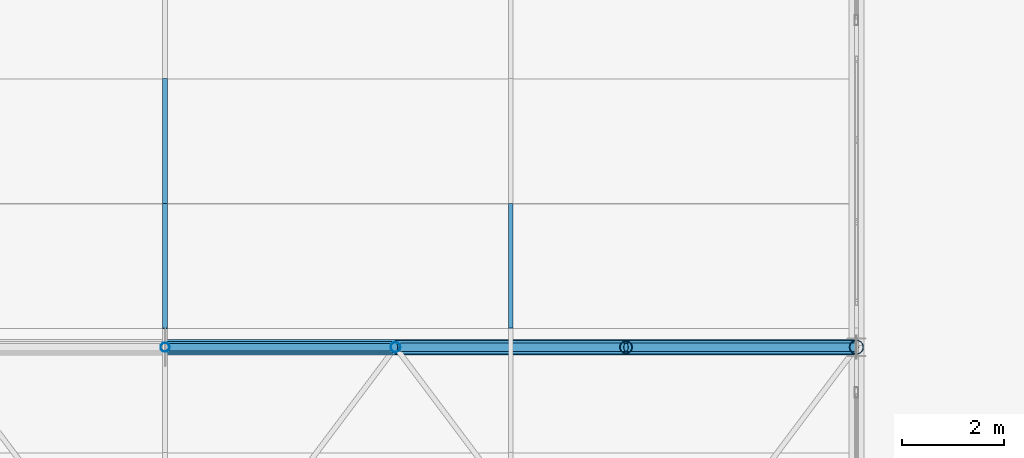
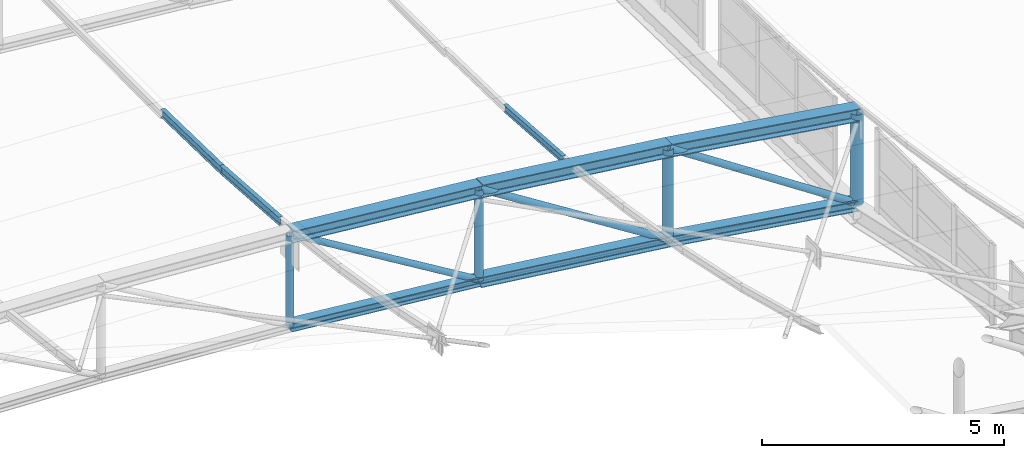
# One storey, part 94 of 262: 16 members.
"""IFC4 building model written with IfcOpenShell, lengths in metres."""

from ifc_helpers import new_model, si_unit, derived_unit, direction, frame, origin, origin_2d, place, context, subcontext, project, spatial, hollow_circle, i_section, extrude, material, material_profile, profile_set, type_object, element, save


model = new_model("IFC4")

# Units and contexts
model_context = context("Model", 3, precision=1e-05, world=origin(), true_north=direction((0.0, 1.0)))
body_context = subcontext(model_context, "Body", "Model", "MODEL_VIEW")
ifc_project = project(units=[si_unit("LENGTHUNIT", "METRE"), si_unit("AREAUNIT", "SQUARE_METRE"), si_unit("VOLUMEUNIT", "CUBIC_METRE"), si_unit("PLANEANGLEUNIT", "RADIAN"), si_unit("MASSUNIT", "GRAM", prefix="KILO"), derived_unit("THERMALTRANSMITTANCEUNIT", [(si_unit("POWERUNIT", "WATT"), 1), (si_unit("LENGTHUNIT", "METRE"), -2), (si_unit("THERMODYNAMICTEMPERATUREUNIT", "KELVIN"), -1)])], contexts=[model_context])

# Site, building, storey
site_placement = place(None, origin())
site = spatial("IfcSite", under=ifc_project, at=site_placement, CompositionType="ELEMENT")
building_placement = place(site_placement, origin())
building = spatial("IfcBuilding", under=site, at=building_placement, Name="Almenara Railside Exhibition Hall", CompositionType="ELEMENT")
storey_placement = place(building_placement, frame((0.0, 0.0, 21.699951171875)))
storey = spatial("IfcBuildingStorey", under=building, at=storey_placement, Name="RF", CompositionType="ELEMENT", Elevation=21.699951171875)

# Members
ifc_material = material(Name="Structural steel S355JR", Category="steel")
ifc_material_profile_1 = material_profile(ifc_material, i_section(OverallWidth=0.300048828125, OverallDepth=0.300048828125, WebThickness=0.010986328125, FlangeThickness=0.01904296875, FilletRadius=0.027099609375, at=origin_2d()), Name="HEB 300")
ifc_profile_set_1 = profile_set([ifc_material_profile_1], Name="Structural steel S355JR")
member_type_1 = type_object("IfcMemberType", Name="Arched Inner Top Chord HEB 300 S355JR", PredefinedType="CHORD", material=ifc_profile_set_1)
member_1_placement = place(storey_placement, frame((52.5, 72.0, 1.814697265625), z_axis=(0.995512933083, 0.0, -0.094625578275), x_axis=(0.0, 1.0, 0.0)))
element("IfcMember", 1, at=member_1_placement, inside=storey, type_object=member_type_1, Name="MEM-TC-V1-02-09", PredefinedType="CHORD", context=body_context, shape_type="SweptSolid", body=[
    extrude(i_section(OverallWidth=0.300048828125, OverallDepth=0.300048828125, WebThickness=0.010986328125, FlangeThickness=0.01904296875, FilletRadius=0.027099609375, at=origin_2d()), origin(), (0.0, 0.0, 1.0), 4.520263671875),
])
ifc_material_profile_2 = material_profile(ifc_material, i_section(OverallWidth=0.260009765625, OverallDepth=0.260009765625, WebThickness=0.010009765625, FlangeThickness=0.017578125, FilletRadius=0.02392578125, at=origin_2d()), Name="HEB 260")
ifc_profile_set_2 = profile_set([ifc_material_profile_2], Name="Structural steel S355JR")
member_type_2 = type_object("IfcMemberType", Name="Arched Truss Bottom Chord HEB 260 S355JR", PredefinedType="CHORD", material=ifc_profile_set_2)
member_2_placement = place(storey_placement, frame((57.0, 72.0, -0.9130859375), z_axis=(0.992618705116, 0.0, -0.12127698155), x_axis=(0.0, 1.0, 0.0)))
element("IfcMember", 2, at=member_2_placement, inside=storey, type_object=member_type_2, Name="MEM-BC-V1-02-10", PredefinedType="CHORD", context=body_context, shape_type="SweptSolid", body=[
    extrude(i_section(OverallWidth=0.260009765625, OverallDepth=0.260009765625, WebThickness=0.010009765625, FlangeThickness=0.017578125, FilletRadius=0.02392578125, at=origin_2d()), origin(), (0.0, 0.0, 1.0), 4.533447265625),
])
member_3_placement = place(storey_placement, frame((61.5, 72.0, -1.462890625), z_axis=(0.989021203369, 0.0, -0.147773675894), x_axis=(0.0, 1.0, 0.0)))
element("IfcMember", 3, at=member_3_placement, inside=storey, type_object=member_type_2, Name="MEM-BC-V1-02-11", PredefinedType="CHORD", context=body_context, shape_type="SweptSolid", body=[
    extrude(i_section(OverallWidth=0.260009765625, OverallDepth=0.260009765625, WebThickness=0.010009765625, FlangeThickness=0.017578125, FilletRadius=0.02392578125, at=origin_2d()), origin(), (0.0, 0.0, 1.0), 4.550048828125),
])
ifc_material_profile_3 = material_profile(ifc_material, i_section(OverallWidth=0.300048828125, OverallDepth=0.320068359375, WebThickness=0.011474609375, FlangeThickness=0.0205078125, FilletRadius=0.027099609375, at=origin_2d()), Name="HEB 320")
ifc_profile_set_3 = profile_set([ifc_material_profile_3], Name="Structural steel S355JR")
member_type_3 = type_object("IfcMemberType", Name="Arched Truss Top Chord HEB 320 S355JR", PredefinedType="CHORD", material=ifc_profile_set_3)
member_4_placement = place(storey_placement, frame((57.0, 72.0, 1.386962890625), z_axis=(0.992612220818, 0.0, -0.121330041965), x_axis=(0.0, 1.0, 0.0)))
element("IfcMember", 4, at=member_4_placement, inside=storey, type_object=member_type_3, Name="MEM-TC-V1-02-10", PredefinedType="CHORD", context=body_context, shape_type="SweptSolid", body=[
    extrude(i_section(OverallWidth=0.300048828125, OverallDepth=0.320068359375, WebThickness=0.011474609375, FlangeThickness=0.0205078125, FilletRadius=0.027099609375, at=origin_2d()), origin(), (0.0, 0.0, 1.0), 4.533447265625),
])
member_5_placement = place(storey_placement, frame((61.5, 72.0, 0.8369140625), z_axis=(0.9890290442, 0.0, -0.147721189165), x_axis=(0.0, 1.0, 0.0)))
element("IfcMember", 5, at=member_5_placement, inside=storey, type_object=member_type_3, Name="MEM-TC-V1-02-11", PredefinedType="CHORD", context=body_context, shape_type="SweptSolid", body=[
    extrude(i_section(OverallWidth=0.300048828125, OverallDepth=0.320068359375, WebThickness=0.011474609375, FlangeThickness=0.0205078125, FilletRadius=0.027099609375, at=origin_2d()), origin(), (0.0, 0.0, 1.0), 4.5498046875),
])
ifc_material_profile_4 = material_profile(ifc_material, i_section(OverallWidth=0.091064453125, OverallDepth=0.179931640625, WebThickness=0.00537109375, FlangeThickness=0.008056640625, FilletRadius=0.009033203125, at=origin_2d()), Name="IPE 180")
ifc_profile_set_4 = profile_set([ifc_material_profile_4], Name="Structural steel S355JR")
member_type_4 = type_object("IfcMemberType", Name="Plenary Roof Purlin IPE 180 S355JR", PredefinedType="PURLIN", material=ifc_profile_set_4)
member_6_placement = place(storey_placement, frame((59.25, 72.366943359375, 1.099853515625), z_axis=(0.0, 0.997528729247, -0.070259763216), x_axis=(-1.0, 0.0, 0.0)))
element("IfcMember", 6, at=member_6_placement, inside=storey, type_object=member_type_4, Name="MEM-PR-V1-PR-IPE180-07-10", PredefinedType="PURLIN", context=body_context, shape_type="SweptSolid", body=[
    extrude(i_section(OverallWidth=0.091064453125, OverallDepth=0.179931640625, WebThickness=0.00537109375, FlangeThickness=0.008056640625, FilletRadius=0.009033203125, at=origin_2d()), origin(), (0.0, 0.0, 1.0), 2.44287109375),
])
ifc_material_profile_5 = material_profile(ifc_material, i_section(OverallWidth=0.219970703125, OverallDepth=0.219970703125, WebThickness=0.009521484375, FlangeThickness=0.01611328125, FilletRadius=0.01806640625, at=origin_2d()), Name="HEB 220")
ifc_profile_set_5 = profile_set([ifc_material_profile_5], Name="Structural steel S355JR")
member_type_5 = type_object("IfcMemberType", Name="Scroll Tie Chord HEB 220 S355JR", PredefinedType="CHORD", material=ifc_profile_set_5)
member_7_placement = place(storey_placement, frame((52.5, 72.0, -0.485107421875), z_axis=(0.995507843872, 0.0, -0.094679104292), x_axis=(0.0, 1.0, 0.0)))
element("IfcMember", 7, at=member_7_placement, inside=storey, type_object=member_type_5, Name="MEM-BC-V1-02-09", PredefinedType="CHORD", context=body_context, shape_type="SweptSolid", body=[
    extrude(i_section(OverallWidth=0.219970703125, OverallDepth=0.219970703125, WebThickness=0.009521484375, FlangeThickness=0.01611328125, FilletRadius=0.01806640625, at=origin_2d()), origin(), (0.0, 0.0, 1.0), 4.520263671875),
])
ifc_material_profile_6 = material_profile(ifc_material, i_section(OverallWidth=0.10009765625, OverallDepth=0.199951171875, WebThickness=0.005615234375, FlangeThickness=0.008544921875, FilletRadius=0.011962890625, at=origin_2d()), Name="IPE 200")
ifc_profile_set_6 = profile_set([ifc_material_profile_6], Name="Structural steel S355JR")
member_type_6 = type_object("IfcMemberType", Name="Standard Hall Roof Purlin IPE 200 S355JR", PredefinedType="PURLIN", material=ifc_profile_set_6)
member_8_placement = place(storey_placement, frame((52.5, 72.366943359375, 1.916748046875), z_axis=(0.0, 0.997521719737, -0.070359211571), x_axis=(-1.0, 0.0, 0.0)))
element("IfcMember", 8, at=member_8_placement, inside=storey, type_object=member_type_6, Name="MEM-PR-V1-PR-IPE200-06-10", PredefinedType="PURLIN", context=body_context, shape_type="SweptSolid", body=[
    extrude(i_section(OverallWidth=0.10009765625, OverallDepth=0.199951171875, WebThickness=0.005615234375, FlangeThickness=0.008544921875, FilletRadius=0.011962890625, at=origin_2d()), origin(), (0.0, 0.0, 1.0), 2.44287109375),
])
member_9_placement = place(storey_placement, frame((52.5, 74.8037109375, 1.74560546875), z_axis=(0.0, 0.999725289903, -0.023438104182), x_axis=(-1.0, 0.0, 0.0)))
element("IfcMember", 9, at=member_9_placement, inside=storey, type_object=member_type_6, Name="MEM-PR-V1-PR-IPE200-06-11", PredefinedType="PURLIN", context=body_context, shape_type="SweptSolid", body=[
    extrude(i_section(OverallWidth=0.10009765625, OverallDepth=0.199951171875, WebThickness=0.005615234375, FlangeThickness=0.008544921875, FilletRadius=0.011962890625, at=origin_2d()), origin(), (0.0, 0.0, 1.0), 2.4375),
])
ifc_material_profile_7 = material_profile(ifc_material, hollow_circle(Radius=0.084228515625, WallThickness=0.006103515625, at=origin_2d()), Name="CHS 168.3x6")
ifc_profile_set_7 = profile_set([ifc_material_profile_7], Name="Structural steel S355JR")
member_type_7 = type_object("IfcMemberType", Name="Truss End Diagonal CHS 168.3x6 S355JR", PredefinedType="BRACE", material=ifc_profile_set_7)
member_10_placement = place(storey_placement, frame((57.0, 72.0, 1.386962890625), z_axis=(0.8448315064, 0.0, -0.535032453028), x_axis=(0.0, 1.0, 0.0)))
element("IfcMember", 10, at=member_10_placement, inside=storey, type_object=member_type_7, Name="MEM-TD-V1-02-10", PredefinedType="BRACE", context=body_context, shape_type="SweptSolid", body=[
    extrude(hollow_circle(Radius=0.084228515625, WallThickness=0.006103515625, at=origin_2d()), origin(), (0.0, 0.0, 1.0), 5.326416015625),
])
member_11_placement = place(storey_placement, frame((61.5, 72.0, 0.8369140625), z_axis=(0.834424544227, 0.0, -0.551122200598), x_axis=(0.0, 1.0, 0.0)))
element("IfcMember", 11, at=member_11_placement, inside=storey, type_object=member_type_7, Name="MEM-TD-V1-02-11", PredefinedType="BRACE", context=body_context, shape_type="SweptSolid", body=[
    extrude(hollow_circle(Radius=0.084228515625, WallThickness=0.006103515625, at=origin_2d()), origin(), (0.0, 0.0, 1.0), 5.392822265625),
])
ifc_material_profile_8 = material_profile(ifc_material, hollow_circle(Radius=0.122314453125, WallThickness=0.008056640625, at=origin_2d()), Name="CHS 244.5x8")
ifc_profile_set_8 = profile_set([ifc_material_profile_8], Name="Structural steel S355JR")
member_type_8 = type_object("IfcMemberType", Name="Truss Haunch Vertical Strut CHS 244.5x8 S355JR", PredefinedType="BRACE", material=ifc_profile_set_8)
member_12_placement = place(storey_placement, frame((61.5, 72.0, -1.462890625), z_axis=(0.0, 0.0, 1.0), x_axis=(1.0, 0.0, 0.0)))
element("IfcMember", 12, at=member_12_placement, inside=storey, type_object=member_type_8, Name="MEM-TV-V1-02-11", PredefinedType="BRACE", context=body_context, shape_type="SweptSolid", body=[
    extrude(hollow_circle(Radius=0.122314453125, WallThickness=0.008056640625, at=origin_2d()), origin(), (0.0, 0.0, 1.0), 2.2998046875),
])
ifc_material_profile_9 = material_profile(ifc_material, hollow_circle(Radius=0.076171875, WallThickness=0.0048828125, at=origin_2d()), Name="CHS 152.4x5")
ifc_profile_set_9 = profile_set([ifc_material_profile_9], Name="Structural steel S355JR")
member_type_9 = type_object("IfcMemberType", Name="Truss Mid Diagonal CHS 152.4x5 S355JR", PredefinedType="BRACE", material=ifc_profile_set_9)
member_13_placement = place(storey_placement, frame((52.5, 72.0, 1.814697265625), z_axis=(0.855154829777, 0.0, -0.518372662386), x_axis=(0.0, 1.0, 0.0)))
element("IfcMember", 13, at=member_13_placement, inside=storey, type_object=member_type_9, Name="MEM-TD-V1-02-09", PredefinedType="BRACE", context=body_context, shape_type="SweptSolid", body=[
    extrude(hollow_circle(Radius=0.076171875, WallThickness=0.0048828125, at=origin_2d()), origin(), (0.0, 0.0, 1.0), 5.26220703125),
])
ifc_material_profile_10 = material_profile(ifc_material, hollow_circle(Radius=0.0888671875, WallThickness=0.006103515625, at=origin_2d()), Name="CHS 177.8x6")
ifc_profile_set_10 = profile_set([ifc_material_profile_10], Name="Structural steel S355JR")
member_type_10 = type_object("IfcMemberType", Name="Truss Quarter Vertical Strut CHS 177.8x6 S355JR", PredefinedType="BRACE", material=ifc_profile_set_10)
member_14_placement = place(storey_placement, frame((52.5, 72.0, -0.485107421875), z_axis=(0.0, 0.0, 1.0), x_axis=(1.0, 0.0, 0.0)))
element("IfcMember", 14, at=member_14_placement, inside=storey, type_object=member_type_10, Name="MEM-TV-V1-02-09", PredefinedType="BRACE", context=body_context, shape_type="SweptSolid", body=[
    extrude(hollow_circle(Radius=0.0888671875, WallThickness=0.006103515625, at=origin_2d()), origin(), (0.0, 0.0, 1.0), 2.2998046875),
])
ifc_material_profile_11 = material_profile(ifc_material, hollow_circle(Radius=0.096923828125, WallThickness=0.00634765625, at=origin_2d()), Name="CHS 193.7x6.3")
ifc_profile_set_11 = profile_set([ifc_material_profile_11], Name="Structural steel S355JR")
member_type_11 = type_object("IfcMemberType", Name="Truss Standard Vertical Strut CHS 193.7x6.3 S355JR", PredefinedType="BRACE", material=ifc_profile_set_11)
member_15_placement = place(storey_placement, frame((57.0, 72.0, -0.9130859375), z_axis=(0.0, 0.0, 1.0), x_axis=(1.0, 0.0, 0.0)))
element("IfcMember", 15, at=member_15_placement, inside=storey, type_object=member_type_11, Name="MEM-TV-V1-02-10", PredefinedType="BRACE", context=body_context, shape_type="SweptSolid", body=[
    extrude(hollow_circle(Radius=0.096923828125, WallThickness=0.00634765625, at=origin_2d()), origin(), (0.0, 0.0, 1.0), 2.300048828125),
])
ifc_material_profile_12 = material_profile(ifc_material, hollow_circle(Radius=0.136474609375, WallThickness=0.008056640625, at=origin_2d()), Name="CHS 273x8")
ifc_profile_set_12 = profile_set([ifc_material_profile_12], Name="Structural steel S355JR")
member_type_12 = type_object("IfcMemberType", Name="Truss Support Vertical Strut CHS 273x8 S355JR", PredefinedType="BRACE", material=ifc_profile_set_12)
member_16_placement = place(storey_placement, frame((66.0, 72.0, -2.13525390625), z_axis=(0.0, 0.0, 1.0), x_axis=(1.0, 0.0, 0.0)))
element("IfcMember", 16, at=member_16_placement, inside=storey, type_object=member_type_12, Name="MEM-TV-V1-02-12", PredefinedType="BRACE", context=body_context, shape_type="SweptSolid", body=[
    extrude(hollow_circle(Radius=0.136474609375, WallThickness=0.008056640625, at=origin_2d()), origin(), (0.0, 0.0, 1.0), 2.300048828125),
])

save(model, "model.ifc")
